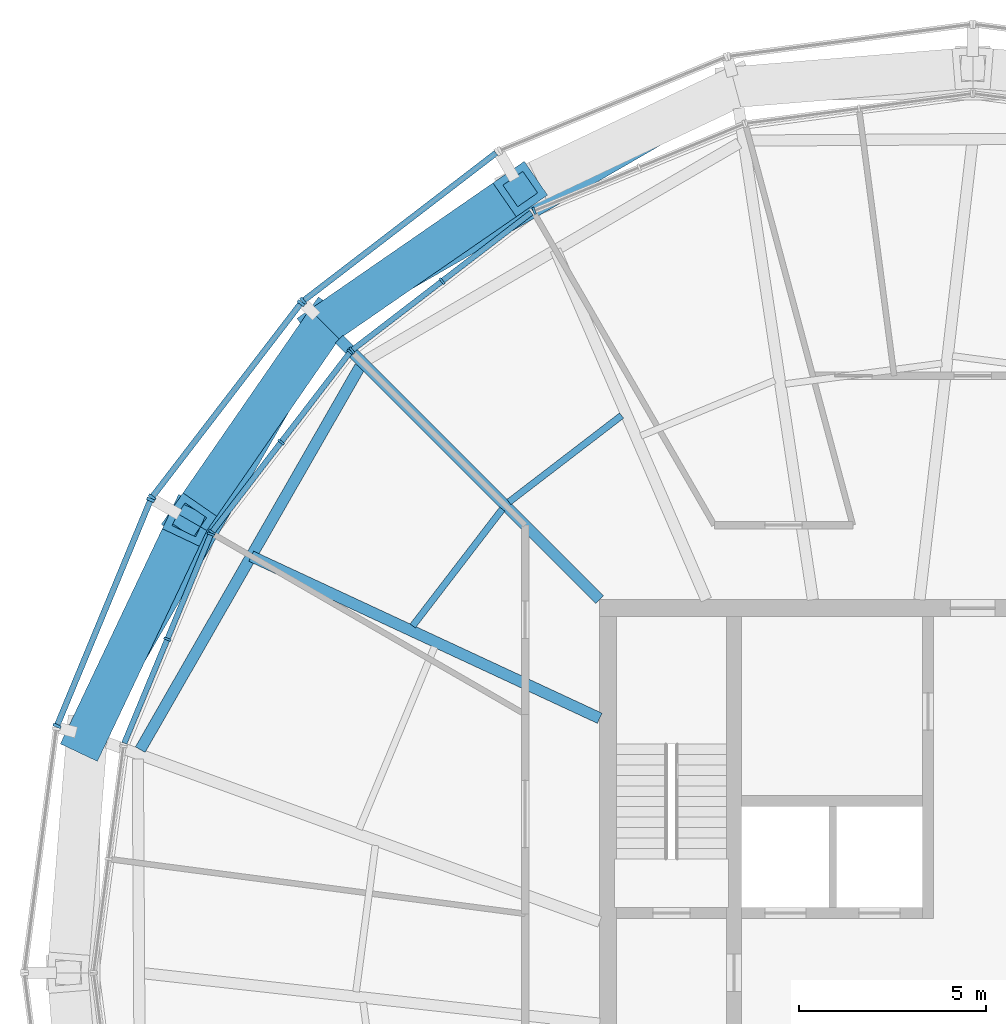
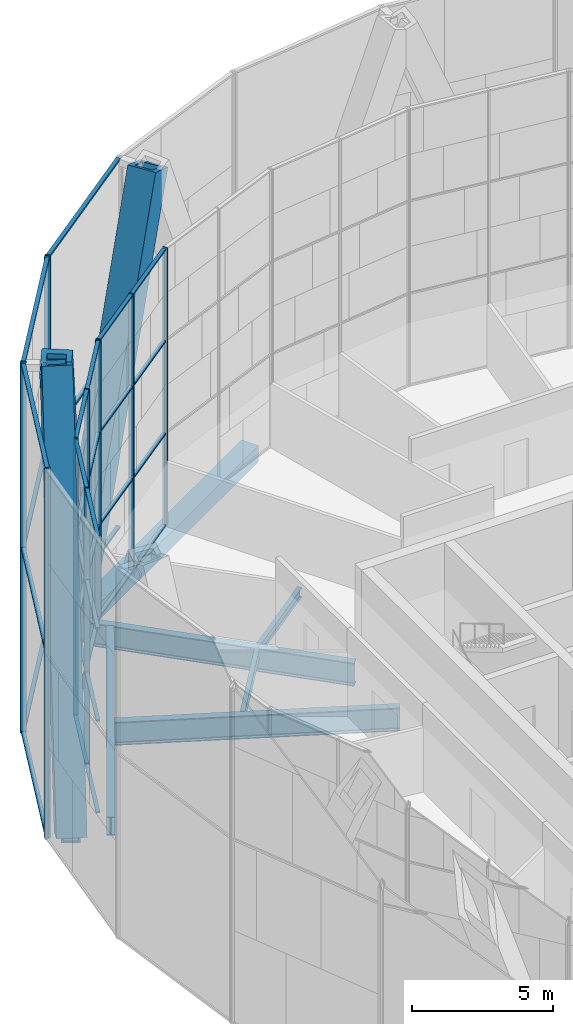
# One storey, part 7 of 26: 49 members, 7 beams, 7 elements without a shape of their own.
"""IFC4 building model written with IfcOpenShell, lengths in metres."""

from ifc_helpers import new_model, si_unit, direction, frame, origin, origin_2d, place, context, subcontext, project, spatial, rectangle, hollow_rectangle, i_section, extrude, material, material_profile, profile_set, type_object, element, aggregate, save


model = new_model("IFC4")

# Units and contexts
model_context = context("Model", 3, precision=1e-05, world=origin(), true_north=direction((0.0, 1.0)))
body_context = subcontext(model_context, "Body", "Model", "MODEL_VIEW")
ifc_project = project(units=[si_unit("LENGTHUNIT", "METRE"), si_unit("AREAUNIT", "SQUARE_METRE"), si_unit("VOLUMEUNIT", "CUBIC_METRE"), si_unit("PLANEANGLEUNIT", "RADIAN"), si_unit("MASSUNIT", "GRAM", prefix="KILO")], contexts=[model_context])

# Site, building, storey
site_placement = place(None, origin())
site = spatial("IfcSite", under=ifc_project, at=site_placement, CompositionType="ELEMENT")
building_placement = place(site_placement, origin())
building = spatial("IfcBuilding", under=site, at=building_placement, Name="Golbaran Civic Tower", CompositionType="ELEMENT")
storey_placement = place(building_placement, frame((0.0, 0.0, 199.0)))
storey = spatial("IfcBuildingStorey", under=building, at=storey_placement, Name="L48", CompositionType="ELEMENT", Elevation=199.0)

# Members
ifc_material_1 = material(Name="Steel S355", Category="steel")
ifc_material_profile_1 = material_profile(ifc_material_1, hollow_rectangle(XDim=1.10009765625, YDim=1.10009765625, WallThickness=0.199951171875, at=origin_2d()), Name="BOX 1100x1100x200")
ifc_profile_set_1 = profile_set([ifc_material_profile_1], Name="Steel S355")
member_type_1 = type_object("IfcMemberType", Name="DIAGRID DIAGONAL BOX 1100x1100x200", PredefinedType="BRACE", material=ifc_profile_set_1)
for number, where, z_axis, x_axis, name in (
    (1, (-17.379150390625, 17.379150390625, -0.7099609375), (-0.210566399983, -0.30484436274, 0.928833518831), (0.822797663531, -0.568334412901, 0.0), "Diagonal D11-04R L48-L52"),
    (2, (-17.379150390625, 17.379150390625, -0.7099609375), (0.30484436274, 0.210566399983, 0.928833518831), (-0.568334412901, 0.822797663531, 0.0), "Diagonal D11-04L L48-L52"),
    (3, (-23.740478515625, 6.361328125, -0.7099609375), (0.158722749986, 0.334764832099, 0.92883776615), (-0.903581210236, 0.428416849002, 0.0), "Diagonal D11-05L L48-L52"),
):
    element("IfcMember", number, at=place(storey_placement, frame(where, z_axis=z_axis, x_axis=x_axis)), inside=storey, type_object=member_type_1, Name=name, PredefinedType="BRACE", context=body_context, shape_type="SweptSolid", body=[
        extrude(hollow_rectangle(XDim=1.10009765625, YDim=1.10009765625, WallThickness=0.199951171875, at=origin_2d()), origin(), (0.0, 0.0, 1.0), 17.225830078125),
    ])

# Beams
ifc_material_profile_2 = material_profile(ifc_material_1, hollow_rectangle(XDim=0.699951171875, YDim=0.699951171875, WallThickness=0.080078125, at=origin_2d()), Name="BOX 700x700x80")
ifc_profile_set_2 = profile_set([ifc_material_profile_2], Name="Steel S355")
beam_type_1 = type_object("IfcBeamType", Name="DIAGRID RING TIE BOX 700x700x80", PredefinedType="BEAM", material=ifc_profile_set_2)
for number, where, z_axis, x_axis, name in (
    (4, (-6.361328125, 23.740478515625, -0.7099609375), (-0.86601909101, -0.500010933886, 0.0), (0.500010933886, -0.86601909101, 0.0), "Ring tie 105.00 L48"),
    (5, (-17.379150390625, 17.379150390625, -0.7099609375), (-0.500010933886, -0.86601909101, 0.0), (0.86601909101, -0.500010933886, 0.0), "Ring tie 135.00 L48"),
):
    element("IfcBeam", number, at=place(storey_placement, frame(where, z_axis=z_axis, x_axis=x_axis)), inside=storey, type_object=beam_type_1, Name=name, PredefinedType="BEAM", context=body_context, shape_type="SweptSolid", body=[
        extrude(hollow_rectangle(XDim=0.699951171875, YDim=0.699951171875, WallThickness=0.080078125, at=origin_2d()), origin(), (0.0, 0.0, 1.0), 12.722412109375),
    ])
ifc_material_profile_3 = material_profile(ifc_material_1, i_section(OverallWidth=0.300048828125, OverallDepth=0.800048828125, WebThickness=0.017578125, FlangeThickness=0.032958984375, FilletRadius=0.030029296875, at=origin_2d()), Name="HEB 800")
ifc_profile_set_3 = profile_set([ifc_material_profile_3], Name="Steel S355")
beam_type_2 = type_object("IfcBeamType", Name="EDGE BEAM HEB 800", PredefinedType="BEAM", material=ifc_profile_set_3)
beam_1_placement = place(storey_placement, frame((-16.42626953125, 16.242431640625, -0.60009765625), z_axis=(-0.497642733506, -0.867382101377, 0.0), x_axis=(0.867382101377, -0.497642733506, 0.0)))
element("IfcBeam", 6, at=beam_1_placement, inside=storey, type_object=beam_type_2, Name="Edge beam 135.00 L48", PredefinedType="BEAM", context=body_context, shape_type="SweptSolid", body=[
    extrude(i_section(OverallWidth=0.300048828125, OverallDepth=0.800048828125, WebThickness=0.017578125, FlangeThickness=0.032958984375, FilletRadius=0.030029296875, at=origin_2d()), origin(), (0.0, 0.0, 1.0), 11.83056640625),
])
ifc_material_profile_4 = material_profile(ifc_material_1, i_section(OverallWidth=0.179931640625, OverallDepth=0.39990234375, WebThickness=0.008544921875, FlangeThickness=0.013427734375, FilletRadius=0.02099609375, at=origin_2d()), Name="IPE 400")
ifc_profile_set_4 = profile_set([ifc_material_profile_4], Name="Steel S355")
beam_type_3 = type_object("IfcBeamType", Name="FLOOR INFILL BEAM IPE 400", PredefinedType="BEAM", material=ifc_profile_set_4)
beam_2_placement = place(storey_placement, frame((-9.412109375, 14.93408203125, -0.39990234375), z_axis=(-0.793364783567, -0.608746515551, 0.0), x_axis=(0.608746515551, -0.793364783567, 0.0)))
element("IfcBeam", 7, at=beam_2_placement, inside=storey, type_object=beam_type_3, Name="Infill beam 127.50 L48", PredefinedType="BEAM", context=body_context, shape_type="SweptSolid", body=[
    extrude(i_section(OverallWidth=0.179931640625, OverallDepth=0.39990234375, WebThickness=0.008544921875, FlangeThickness=0.013427734375, FilletRadius=0.02099609375, at=origin_2d()), origin(), (0.0, 0.0, 1.0), 3.80712890625),
])
beam_3_placement = place(storey_placement, frame((-12.609619140625, 12.42578125, -0.39990234375), z_axis=(-0.608726401363, -0.79338021672, 0.0), x_axis=(0.79338021672, -0.608726401363, 0.0)))
element("IfcBeam", 8, at=beam_3_placement, inside=storey, type_object=beam_type_3, Name="Infill beam 142.50 L48", PredefinedType="BEAM", context=body_context, shape_type="SweptSolid", body=[
    extrude(i_section(OverallWidth=0.179931640625, OverallDepth=0.39990234375, WebThickness=0.008544921875, FlangeThickness=0.013427734375, FilletRadius=0.02099609375, at=origin_2d()), origin(), (0.0, 0.0, 1.0), 3.9453125),
])

# Curtain wall, member
ifc_material_2 = material(Name="Aluminium and glass", Category="aluminium")
curtain_wall_type_1 = type_object("IfcCurtainWallType", Name="INNER SKIN CURTAIN WALL EXECUTIVE", PredefinedType="NOTDEFINED", material=ifc_material_2)
curtain_wall_1_placement = place(storey_placement, origin())
curtain_wall_1 = element("IfcCurtainWall", 9, at=curtain_wall_1_placement, inside=storey, type_object=curtain_wall_type_1, Name="Inner skin L48 facet 8 CW2", ObjectType="INNER SKIN", PredefinedType="USERDEFINED")
ifc_material_3 = material(Name="Aluminium", Category="aluminium")
ifc_material_profile_5 = material_profile(ifc_material_3, rectangle(XDim=0.199951171875, YDim=0.06005859375, at=origin_2d()), Name="INNER SKIN CURTAIN WALL EXECUTIVE MULLION")
ifc_profile_set_5 = profile_set([ifc_material_profile_5], Name="Aluminium")
member_type_2 = type_object("IfcMemberType", Name="INNER SKIN CURTAIN WALL EXECUTIVE MULLION", PredefinedType="MULLION", material=ifc_profile_set_5)
member_1_placement = place(storey_placement, frame((-11.755859375, 20.421142578125, 0.0), z_axis=(0.0, 0.0, 1.0), x_axis=(0.382683432349, -0.923879532518, 0.0)))
member_1 = element("IfcMember", 10, at=member_1_placement, type_object=member_type_2, Name="CW2 mullion 3", PredefinedType="MULLION", context=body_context, shape_type="SweptSolid", body=[
    extrude(rectangle(XDim=0.199951171875, YDim=0.06005859375, at=origin_2d()), origin(), (0.0, 0.0, 1.0), 12.0),
])
aggregate(curtain_wall_1, [member_1])

# Curtain wall, members
curtain_wall_2_placement = place(storey_placement, origin())
curtain_wall_2 = element("IfcCurtainWall", 11, at=curtain_wall_2_placement, inside=storey, type_object=curtain_wall_type_1, Name="Inner skin L48 facet 9 CW2", ObjectType="INNER SKIN", PredefinedType="USERDEFINED")
member_2_placement = place(storey_placement, frame((-14.223876953125, 18.537109375, 0.0), z_axis=(0.0, 0.0, 1.0), x_axis=(0.60876142905, -0.793353340259, 0.0)))
member_2 = element("IfcMember", 12, at=member_2_placement, type_object=member_type_2, Name="CW2 mullion 2", PredefinedType="MULLION", context=body_context, shape_type="SweptSolid", body=[
    extrude(rectangle(XDim=0.199951171875, YDim=0.06005859375, at=origin_2d()), origin(), (0.0, 0.0, 1.0), 12.0),
])
member_3_placement = place(storey_placement, frame((-16.640625, 16.6826171875, 0.0), z_axis=(0.0, 0.0, 1.0), x_axis=(0.60876142905, -0.793353340259, 0.0)))
member_3 = element("IfcMember", 13, at=member_3_placement, type_object=member_type_2, Name="CW2 mullion 3", PredefinedType="MULLION", context=body_context, shape_type="SweptSolid", body=[
    extrude(rectangle(XDim=0.199951171875, YDim=0.06005859375, at=origin_2d()), origin(), (0.0, 0.0, 1.0), 12.0),
])

curtain_wall_3_placement = place(storey_placement, origin())
curtain_wall_3 = element("IfcCurtainWall", 14, at=curtain_wall_3_placement, inside=storey, type_object=curtain_wall_type_1, Name="Inner skin L48 facet 10 CW2", ObjectType="INNER SKIN", PredefinedType="USERDEFINED")
member_4_placement = place(storey_placement, frame((-16.6826171875, 16.640625, 0.0), z_axis=(0.0, 0.0, 1.0), x_axis=(0.793353340259, -0.60876142905, 0.0)))
member_4 = element("IfcMember", 15, at=member_4_placement, type_object=member_type_2, Name="CW2 mullion 1", PredefinedType="MULLION", context=body_context, shape_type="SweptSolid", body=[
    extrude(rectangle(XDim=0.199951171875, YDim=0.06005859375, at=origin_2d()), origin(), (0.0, 0.0, 1.0), 12.0),
])
member_5_placement = place(storey_placement, frame((-18.537109375, 14.223876953125, 0.0), z_axis=(0.0, 0.0, 1.0), x_axis=(0.793353340259, -0.60876142905, 0.0)))
member_5 = element("IfcMember", 16, at=member_5_placement, type_object=member_type_2, Name="CW2 mullion 2", PredefinedType="MULLION", context=body_context, shape_type="SweptSolid", body=[
    extrude(rectangle(XDim=0.199951171875, YDim=0.06005859375, at=origin_2d()), origin(), (0.0, 0.0, 1.0), 12.0),
])
member_6_placement = place(storey_placement, frame((-20.391357421875, 11.807373046875, 0.0), z_axis=(0.0, 0.0, 1.0), x_axis=(0.793353340259, -0.60876142905, 0.0)))
member_6 = element("IfcMember", 17, at=member_6_placement, type_object=member_type_2, Name="CW2 mullion 3", PredefinedType="MULLION", context=body_context, shape_type="SweptSolid", body=[
    extrude(rectangle(XDim=0.199951171875, YDim=0.06005859375, at=origin_2d()), origin(), (0.0, 0.0, 1.0), 12.0),
])

curtain_wall_4_placement = place(storey_placement, origin())
curtain_wall_4 = element("IfcCurtainWall", 18, at=curtain_wall_4_placement, inside=storey, type_object=curtain_wall_type_1, Name="Inner skin L48 facet 11 CW2", ObjectType="INNER SKIN", PredefinedType="USERDEFINED")
member_7_placement = place(storey_placement, frame((-20.421142578125, 11.755859375, 0.0), z_axis=(0.0, 0.0, 1.0), x_axis=(0.923879532518, -0.382683432349, 0.0)))
member_7 = element("IfcMember", 19, at=member_7_placement, type_object=member_type_2, Name="CW2 mullion 1", PredefinedType="MULLION", context=body_context, shape_type="SweptSolid", body=[
    extrude(rectangle(XDim=0.199951171875, YDim=0.06005859375, at=origin_2d()), origin(), (0.0, 0.0, 1.0), 12.0),
])
member_8_placement = place(storey_placement, frame((-21.5869140625, 8.941650390625, 0.0), z_axis=(0.0, 0.0, 1.0), x_axis=(0.923879532518, -0.382683432349, 0.0)))
member_8 = element("IfcMember", 20, at=member_8_placement, type_object=member_type_2, Name="CW2 mullion 2", PredefinedType="MULLION", context=body_context, shape_type="SweptSolid", body=[
    extrude(rectangle(XDim=0.199951171875, YDim=0.06005859375, at=origin_2d()), origin(), (0.0, 0.0, 1.0), 12.0),
])

# Member
ifc_material_profile_6 = material_profile(ifc_material_3, rectangle(XDim=0.14990234375, YDim=0.06005859375, at=origin_2d()), Name="INNER SKIN CURTAIN WALL EXECUTIVE TRANSOM")
ifc_profile_set_6 = profile_set([ifc_material_profile_6], Name="Aluminium")
member_type_3 = type_object("IfcMemberType", Name="INNER SKIN CURTAIN WALL EXECUTIVE TRANSOM", PredefinedType="USERDEFINED", material=ifc_profile_set_6)
member_9_placement = place(storey_placement, frame((-11.8310546875, 20.373046875, 0.030029296875), z_axis=(-0.793358911257, -0.608754168716, 0.0), x_axis=(0.608754168716, -0.793358911257, 0.0)))
member_9 = element("IfcMember", 21, at=member_9_placement, type_object=member_type_3, Name="CW2 transom 1.1", ObjectType="TRANSOM", PredefinedType="USERDEFINED", context=body_context, shape_type="SweptSolid", body=[
    extrude(rectangle(XDim=0.14990234375, YDim=0.06005859375, at=origin_2d()), origin(), (0.0, 0.0, 1.0), 2.986328125),
])

member_10_placement = place(storey_placement, frame((-11.8310546875, 20.373046875, 4.0), z_axis=(-0.793358911257, -0.608754168716, 0.0), x_axis=(0.608754168716, -0.793358911257, 0.0)))
member_10 = element("IfcMember", 22, at=member_10_placement, type_object=member_type_3, Name="CW2 transom 1.2", ObjectType="TRANSOM", PredefinedType="USERDEFINED", context=body_context, shape_type="SweptSolid", body=[
    extrude(rectangle(XDim=0.14990234375, YDim=0.06005859375, at=origin_2d()), origin(), (0.0, 0.0, 1.0), 2.986328125),
])

member_11_placement = place(storey_placement, frame((-11.8310546875, 20.373046875, 8.0), z_axis=(-0.793358911257, -0.608754168716, 0.0), x_axis=(0.608754168716, -0.793358911257, 0.0)))
member_11 = element("IfcMember", 23, at=member_11_placement, type_object=member_type_3, Name="CW2 transom 1.3", ObjectType="TRANSOM", PredefinedType="USERDEFINED", context=body_context, shape_type="SweptSolid", body=[
    extrude(rectangle(XDim=0.14990234375, YDim=0.06005859375, at=origin_2d()), origin(), (0.0, 0.0, 1.0), 2.986328125),
])

member_12_placement = place(storey_placement, frame((-11.8310546875, 20.373046875, 11.969970703125), z_axis=(-0.793358911257, -0.608754168716, 0.0), x_axis=(0.608754168716, -0.793358911257, 0.0)))
member_12 = element("IfcMember", 24, at=member_12_placement, type_object=member_type_3, Name="CW2 transom 1.4", ObjectType="TRANSOM", PredefinedType="USERDEFINED", context=body_context, shape_type="SweptSolid", body=[
    extrude(rectangle(XDim=0.14990234375, YDim=0.06005859375, at=origin_2d()), origin(), (0.0, 0.0, 1.0), 2.986328125),
])

member_13_placement = place(storey_placement, frame((-14.247802734375, 18.518798828125, 0.030029296875), z_axis=(-0.793328611087, -0.60879365538, 0.0), x_axis=(0.60879365538, -0.793328611087, 0.0)))
member_13 = element("IfcMember", 25, at=member_13_placement, type_object=member_type_3, Name="CW2 transom 2.1", ObjectType="TRANSOM", PredefinedType="USERDEFINED", context=body_context, shape_type="SweptSolid", body=[
    extrude(rectangle(XDim=0.14990234375, YDim=0.06005859375, at=origin_2d()), origin(), (0.0, 0.0, 1.0), 2.986083984375),
])

member_14_placement = place(storey_placement, frame((-14.247802734375, 18.518798828125, 4.0), z_axis=(-0.793328611087, -0.60879365538, 0.0), x_axis=(0.60879365538, -0.793328611087, 0.0)))
member_14 = element("IfcMember", 26, at=member_14_placement, type_object=member_type_3, Name="CW2 transom 2.2", ObjectType="TRANSOM", PredefinedType="USERDEFINED", context=body_context, shape_type="SweptSolid", body=[
    extrude(rectangle(XDim=0.14990234375, YDim=0.06005859375, at=origin_2d()), origin(), (0.0, 0.0, 1.0), 2.986083984375),
])

member_15_placement = place(storey_placement, frame((-14.247802734375, 18.518798828125, 8.0), z_axis=(-0.793328611087, -0.60879365538, 0.0), x_axis=(0.60879365538, -0.793328611087, 0.0)))
member_15 = element("IfcMember", 27, at=member_15_placement, type_object=member_type_3, Name="CW2 transom 2.3", ObjectType="TRANSOM", PredefinedType="USERDEFINED", context=body_context, shape_type="SweptSolid", body=[
    extrude(rectangle(XDim=0.14990234375, YDim=0.06005859375, at=origin_2d()), origin(), (0.0, 0.0, 1.0), 2.986083984375),
])

member_16_placement = place(storey_placement, frame((-14.247802734375, 18.518798828125, 11.969970703125), z_axis=(-0.793328611087, -0.60879365538, 0.0), x_axis=(0.60879365538, -0.793328611087, 0.0)))
member_16 = element("IfcMember", 28, at=member_16_placement, type_object=member_type_3, Name="CW2 transom 2.4", ObjectType="TRANSOM", PredefinedType="USERDEFINED", context=body_context, shape_type="SweptSolid", body=[
    extrude(rectangle(XDim=0.14990234375, YDim=0.06005859375, at=origin_2d()), origin(), (0.0, 0.0, 1.0), 2.986083984375),
])

aggregate(curtain_wall_2, [member_2, member_3, member_9, member_10, member_11, member_12, member_13, member_14, member_15, member_16])

member_17_placement = place(storey_placement, frame((-16.700927734375, 16.61669921875, 0.030029296875), z_axis=(-0.60879365538, -0.793328611087, 0.0), x_axis=(0.793328611087, -0.60879365538, 0.0)))
member_17 = element("IfcMember", 29, at=member_17_placement, type_object=member_type_3, Name="CW2 transom 1.1", ObjectType="TRANSOM", PredefinedType="USERDEFINED", context=body_context, shape_type="SweptSolid", body=[
    extrude(rectangle(XDim=0.14990234375, YDim=0.06005859375, at=origin_2d()), origin(), (0.0, 0.0, 1.0), 2.986083984375),
])

member_18_placement = place(storey_placement, frame((-16.700927734375, 16.61669921875, 4.0), z_axis=(-0.60879365538, -0.793328611087, 0.0), x_axis=(0.793328611087, -0.60879365538, 0.0)))
member_18 = element("IfcMember", 30, at=member_18_placement, type_object=member_type_3, Name="CW2 transom 1.2", ObjectType="TRANSOM", PredefinedType="USERDEFINED", context=body_context, shape_type="SweptSolid", body=[
    extrude(rectangle(XDim=0.14990234375, YDim=0.06005859375, at=origin_2d()), origin(), (0.0, 0.0, 1.0), 2.986083984375),
])

member_19_placement = place(storey_placement, frame((-16.700927734375, 16.61669921875, 8.0), z_axis=(-0.60879365538, -0.793328611087, 0.0), x_axis=(0.793328611087, -0.60879365538, 0.0)))
member_19 = element("IfcMember", 31, at=member_19_placement, type_object=member_type_3, Name="CW2 transom 1.3", ObjectType="TRANSOM", PredefinedType="USERDEFINED", context=body_context, shape_type="SweptSolid", body=[
    extrude(rectangle(XDim=0.14990234375, YDim=0.06005859375, at=origin_2d()), origin(), (0.0, 0.0, 1.0), 2.986083984375),
])

member_20_placement = place(storey_placement, frame((-16.700927734375, 16.61669921875, 11.969970703125), z_axis=(-0.60879365538, -0.793328611087, 0.0), x_axis=(0.793328611087, -0.60879365538, 0.0)))
member_20 = element("IfcMember", 32, at=member_20_placement, type_object=member_type_3, Name="CW2 transom 1.4", ObjectType="TRANSOM", PredefinedType="USERDEFINED", context=body_context, shape_type="SweptSolid", body=[
    extrude(rectangle(XDim=0.14990234375, YDim=0.06005859375, at=origin_2d()), origin(), (0.0, 0.0, 1.0), 2.986083984375),
])

member_21_placement = place(storey_placement, frame((-18.55517578125, 14.2001953125, 0.030029296875), z_axis=(-0.608754168716, -0.793358911257, 0.0), x_axis=(0.793358911257, -0.608754168716, 0.0)))
member_21 = element("IfcMember", 33, at=member_21_placement, type_object=member_type_3, Name="CW2 transom 2.1", ObjectType="TRANSOM", PredefinedType="USERDEFINED", context=body_context, shape_type="SweptSolid", body=[
    extrude(rectangle(XDim=0.14990234375, YDim=0.06005859375, at=origin_2d()), origin(), (0.0, 0.0, 1.0), 2.986328125),
])

member_22_placement = place(storey_placement, frame((-18.55517578125, 14.2001953125, 4.0), z_axis=(-0.608754168716, -0.793358911257, 0.0), x_axis=(0.793358911257, -0.608754168716, 0.0)))
member_22 = element("IfcMember", 34, at=member_22_placement, type_object=member_type_3, Name="CW2 transom 2.2", ObjectType="TRANSOM", PredefinedType="USERDEFINED", context=body_context, shape_type="SweptSolid", body=[
    extrude(rectangle(XDim=0.14990234375, YDim=0.06005859375, at=origin_2d()), origin(), (0.0, 0.0, 1.0), 2.986328125),
])

member_23_placement = place(storey_placement, frame((-18.55517578125, 14.2001953125, 8.0), z_axis=(-0.608754168716, -0.793358911257, 0.0), x_axis=(0.793358911257, -0.608754168716, 0.0)))
member_23 = element("IfcMember", 35, at=member_23_placement, type_object=member_type_3, Name="CW2 transom 2.3", ObjectType="TRANSOM", PredefinedType="USERDEFINED", context=body_context, shape_type="SweptSolid", body=[
    extrude(rectangle(XDim=0.14990234375, YDim=0.06005859375, at=origin_2d()), origin(), (0.0, 0.0, 1.0), 2.986328125),
])

member_24_placement = place(storey_placement, frame((-18.55517578125, 14.2001953125, 11.969970703125), z_axis=(-0.608754168716, -0.793358911257, 0.0), x_axis=(0.793358911257, -0.608754168716, 0.0)))
member_24 = element("IfcMember", 36, at=member_24_placement, type_object=member_type_3, Name="CW2 transom 2.4", ObjectType="TRANSOM", PredefinedType="USERDEFINED", context=body_context, shape_type="SweptSolid", body=[
    extrude(rectangle(XDim=0.14990234375, YDim=0.06005859375, at=origin_2d()), origin(), (0.0, 0.0, 1.0), 2.986328125),
])

aggregate(curtain_wall_3, [member_4, member_5, member_6, member_17, member_18, member_19, member_20, member_21, member_22, member_23, member_24])

member_25_placement = place(storey_placement, frame((-20.4326171875, 11.72802734375, 0.030029296875), z_axis=(-0.382640634603, -0.923897258763, 0.0), x_axis=(0.923897258763, -0.382640634603, 0.0)))
member_25 = element("IfcMember", 37, at=member_25_placement, type_object=member_type_3, Name="CW2 transom 1.1", ObjectType="TRANSOM", PredefinedType="USERDEFINED", context=body_context, shape_type="SweptSolid", body=[
    extrude(rectangle(XDim=0.14990234375, YDim=0.06005859375, at=origin_2d()), origin(), (0.0, 0.0, 1.0), 2.986083984375),
])

member_26_placement = place(storey_placement, frame((-20.4326171875, 11.72802734375, 4.0), z_axis=(-0.382640634603, -0.923897258763, 0.0), x_axis=(0.923897258763, -0.382640634603, 0.0)))
member_26 = element("IfcMember", 38, at=member_26_placement, type_object=member_type_3, Name="CW2 transom 1.2", ObjectType="TRANSOM", PredefinedType="USERDEFINED", context=body_context, shape_type="SweptSolid", body=[
    extrude(rectangle(XDim=0.14990234375, YDim=0.06005859375, at=origin_2d()), origin(), (0.0, 0.0, 1.0), 2.986083984375),
])

member_27_placement = place(storey_placement, frame((-20.4326171875, 11.72802734375, 8.0), z_axis=(-0.382640634603, -0.923897258763, 0.0), x_axis=(0.923897258763, -0.382640634603, 0.0)))
member_27 = element("IfcMember", 39, at=member_27_placement, type_object=member_type_3, Name="CW2 transom 1.3", ObjectType="TRANSOM", PredefinedType="USERDEFINED", context=body_context, shape_type="SweptSolid", body=[
    extrude(rectangle(XDim=0.14990234375, YDim=0.06005859375, at=origin_2d()), origin(), (0.0, 0.0, 1.0), 2.986083984375),
])

member_28_placement = place(storey_placement, frame((-20.4326171875, 11.72802734375, 11.969970703125), z_axis=(-0.382640634603, -0.923897258763, 0.0), x_axis=(0.923897258763, -0.382640634603, 0.0)))
member_28 = element("IfcMember", 40, at=member_28_placement, type_object=member_type_3, Name="CW2 transom 1.4", ObjectType="TRANSOM", PredefinedType="USERDEFINED", context=body_context, shape_type="SweptSolid", body=[
    extrude(rectangle(XDim=0.14990234375, YDim=0.06005859375, at=origin_2d()), origin(), (0.0, 0.0, 1.0), 2.986083984375),
])

member_29_placement = place(storey_placement, frame((-21.598388671875, 8.913818359375, 0.030029296875), z_axis=(-0.382640634603, -0.923897258763, 0.0), x_axis=(0.923897258763, -0.382640634603, 0.0)))
member_29 = element("IfcMember", 41, at=member_29_placement, type_object=member_type_3, Name="CW2 transom 2.1", ObjectType="TRANSOM", PredefinedType="USERDEFINED", context=body_context, shape_type="SweptSolid", body=[
    extrude(rectangle(XDim=0.14990234375, YDim=0.06005859375, at=origin_2d()), origin(), (0.0, 0.0, 1.0), 2.986083984375),
])

member_30_placement = place(storey_placement, frame((-21.598388671875, 8.913818359375, 4.0), z_axis=(-0.382640634603, -0.923897258763, 0.0), x_axis=(0.923897258763, -0.382640634603, 0.0)))
member_30 = element("IfcMember", 42, at=member_30_placement, type_object=member_type_3, Name="CW2 transom 2.2", ObjectType="TRANSOM", PredefinedType="USERDEFINED", context=body_context, shape_type="SweptSolid", body=[
    extrude(rectangle(XDim=0.14990234375, YDim=0.06005859375, at=origin_2d()), origin(), (0.0, 0.0, 1.0), 2.986083984375),
])

member_31_placement = place(storey_placement, frame((-21.598388671875, 8.913818359375, 8.0), z_axis=(-0.382640634603, -0.923897258763, 0.0), x_axis=(0.923897258763, -0.382640634603, 0.0)))
member_31 = element("IfcMember", 43, at=member_31_placement, type_object=member_type_3, Name="CW2 transom 2.3", ObjectType="TRANSOM", PredefinedType="USERDEFINED", context=body_context, shape_type="SweptSolid", body=[
    extrude(rectangle(XDim=0.14990234375, YDim=0.06005859375, at=origin_2d()), origin(), (0.0, 0.0, 1.0), 2.986083984375),
])

member_32_placement = place(storey_placement, frame((-21.598388671875, 8.913818359375, 11.969970703125), z_axis=(-0.382640634603, -0.923897258763, 0.0), x_axis=(0.923897258763, -0.382640634603, 0.0)))
member_32 = element("IfcMember", 44, at=member_32_placement, type_object=member_type_3, Name="CW2 transom 2.4", ObjectType="TRANSOM", PredefinedType="USERDEFINED", context=body_context, shape_type="SweptSolid", body=[
    extrude(rectangle(XDim=0.14990234375, YDim=0.06005859375, at=origin_2d()), origin(), (0.0, 0.0, 1.0), 2.986083984375),
])

aggregate(curtain_wall_4, [member_7, member_8, member_25, member_26, member_27, member_28, member_29, member_30, member_31, member_32])

# Curtain wall, member
curtain_wall_type_2 = type_object("IfcCurtainWallType", Name="OUTER SKIN TERRACOTTA SCREEN", PredefinedType="NOTDEFINED", material=ifc_material_2)
curtain_wall_5_placement = place(storey_placement, origin())
curtain_wall_5 = element("IfcCurtainWall", 45, at=curtain_wall_5_placement, inside=storey, type_object=curtain_wall_type_2, Name="Outer skin L48 facet 9 CW3", ObjectType="OUTER SKIN", PredefinedType="USERDEFINED")
ifc_material_profile_7 = material_profile(ifc_material_3, rectangle(XDim=0.219970703125, YDim=0.080078125, at=origin_2d()), Name="OUTER SKIN TERRACOTTA SCREEN MULLION")
ifc_profile_set_7 = profile_set([ifc_material_profile_7], Name="Aluminium")
member_type_4 = type_object("IfcMemberType", Name="OUTER SKIN TERRACOTTA SCREEN MULLION", PredefinedType="MULLION", material=ifc_profile_set_7)
member_33_placement = place(storey_placement, frame((-17.948486328125, 18.004638671875, -0.7099609375), z_axis=(0.0, 0.0, 1.0), x_axis=(0.608761428967, -0.793353340323, 0.0)))
member_33 = element("IfcMember", 46, at=member_33_placement, type_object=member_type_4, Name="CW3 mullion 2", PredefinedType="MULLION", context=body_context, shape_type="SweptSolid", body=[
    extrude(rectangle(XDim=0.219970703125, YDim=0.080078125, at=origin_2d()), origin(), (0.0, 0.0, 1.0), 16.0),
])

# Curtain wall, members
curtain_wall_6_placement = place(storey_placement, origin())
curtain_wall_6 = element("IfcCurtainWall", 47, at=curtain_wall_6_placement, inside=storey, type_object=curtain_wall_type_2, Name="Outer skin L48 facet 10 CW3", ObjectType="OUTER SKIN", PredefinedType="USERDEFINED")
member_34_placement = place(storey_placement, frame((-18.004638671875, 17.948486328125, -0.7099609375), z_axis=(0.0, 0.0, 1.0), x_axis=(0.793353340323, -0.608761428967, 0.0)))
member_34 = element("IfcMember", 48, at=member_34_placement, type_object=member_type_4, Name="CW3 mullion 1", PredefinedType="MULLION", context=body_context, shape_type="SweptSolid", body=[
    extrude(rectangle(XDim=0.219970703125, YDim=0.080078125, at=origin_2d()), origin(), (0.0, 0.0, 1.0), 16.0),
])
member_35_placement = place(storey_placement, frame((-21.996826171875, 12.745849609375, -0.7099609375), z_axis=(0.0, 0.0, 1.0), x_axis=(0.793353340323, -0.608761428967, 0.0)))
member_35 = element("IfcMember", 49, at=member_35_placement, type_object=member_type_4, Name="CW3 mullion 2", PredefinedType="MULLION", context=body_context, shape_type="SweptSolid", body=[
    extrude(rectangle(XDim=0.219970703125, YDim=0.080078125, at=origin_2d()), origin(), (0.0, 0.0, 1.0), 16.0),
])

curtain_wall_7_placement = place(storey_placement, origin())
curtain_wall_7 = element("IfcCurtainWall", 50, at=curtain_wall_7_placement, inside=storey, type_object=curtain_wall_type_2, Name="Outer skin L48 facet 11 CW3", ObjectType="OUTER SKIN", PredefinedType="USERDEFINED")
member_36_placement = place(storey_placement, frame((-22.03662109375, 12.677001953125, -0.7099609375), z_axis=(0.0, 0.0, 1.0), x_axis=(0.923879532478, -0.382683432446, 0.0)))
member_36 = element("IfcMember", 51, at=member_36_placement, type_object=member_type_4, Name="CW3 mullion 1", PredefinedType="MULLION", context=body_context, shape_type="SweptSolid", body=[
    extrude(rectangle(XDim=0.219970703125, YDim=0.080078125, at=origin_2d()), origin(), (0.0, 0.0, 1.0), 16.0),
])
member_37_placement = place(storey_placement, frame((-24.546142578125, 6.6181640625, -0.7099609375), z_axis=(0.0, 0.0, 1.0), x_axis=(0.923879532478, -0.382683432446, 0.0)))
member_37 = element("IfcMember", 52, at=member_37_placement, type_object=member_type_4, Name="CW3 mullion 2", PredefinedType="MULLION", context=body_context, shape_type="SweptSolid", body=[
    extrude(rectangle(XDim=0.219970703125, YDim=0.080078125, at=origin_2d()), origin(), (0.0, 0.0, 1.0), 16.0),
])

# Member
ifc_material_profile_8 = material_profile(ifc_material_3, rectangle(XDim=0.159912109375, YDim=0.080078125, at=origin_2d()), Name="OUTER SKIN TERRACOTTA SCREEN TRANSOM")
ifc_profile_set_8 = profile_set([ifc_material_profile_8], Name="Aluminium")
member_type_5 = type_object("IfcMemberType", Name="OUTER SKIN TERRACOTTA SCREEN TRANSOM", PredefinedType="USERDEFINED", material=ifc_profile_set_8)
member_38_placement = place(storey_placement, frame((-12.777587890625, 21.97265625, -0.669921875), z_axis=(-0.793339380863, -0.608779620859, 0.0), x_axis=(0.608779620859, -0.793339380863, 0.0)))
member_38 = element("IfcMember", 53, at=member_38_placement, type_object=member_type_5, Name="CW3 transom 1.1", ObjectType="TRANSOM", PredefinedType="USERDEFINED", context=body_context, shape_type="SweptSolid", body=[
    extrude(rectangle(XDim=0.159912109375, YDim=0.080078125, at=origin_2d()), origin(), (0.0, 0.0, 1.0), 6.477783203125),
])

member_39_placement = place(storey_placement, frame((-12.777587890625, 21.97265625, 7.2900390625), z_axis=(-0.793339380863, -0.608779620859, 0.0), x_axis=(0.608779620859, -0.793339380863, 0.0)))
member_39 = element("IfcMember", 54, at=member_39_placement, type_object=member_type_5, Name="CW3 transom 1.2", ObjectType="TRANSOM", PredefinedType="USERDEFINED", context=body_context, shape_type="SweptSolid", body=[
    extrude(rectangle(XDim=0.159912109375, YDim=0.080078125, at=origin_2d()), origin(), (0.0, 0.0, 1.0), 6.477783203125),
])

member_40_placement = place(storey_placement, frame((-12.777587890625, 21.97265625, 15.25), z_axis=(-0.793339380863, -0.608779620859, 0.0), x_axis=(0.608779620859, -0.793339380863, 0.0)))
member_40 = element("IfcMember", 55, at=member_40_placement, type_object=member_type_5, Name="CW3 transom 1.3", ObjectType="TRANSOM", PredefinedType="USERDEFINED", context=body_context, shape_type="SweptSolid", body=[
    extrude(rectangle(XDim=0.159912109375, YDim=0.080078125, at=origin_2d()), origin(), (0.0, 0.0, 1.0), 6.477783203125),
])

aggregate(curtain_wall_5, [member_33, member_38, member_39, member_40])

member_41_placement = place(storey_placement, frame((-18.029052734375, 17.916748046875, -0.669921875), z_axis=(-0.608779620859, -0.793339380863, 0.0), x_axis=(0.793339380863, -0.608779620859, 0.0)))
member_41 = element("IfcMember", 56, at=member_41_placement, type_object=member_type_5, Name="CW3 transom 1.1", ObjectType="TRANSOM", PredefinedType="USERDEFINED", context=body_context, shape_type="SweptSolid", body=[
    extrude(rectangle(XDim=0.159912109375, YDim=0.080078125, at=origin_2d()), origin(), (0.0, 0.0, 1.0), 6.477783203125),
])

member_42_placement = place(storey_placement, frame((-18.029052734375, 17.916748046875, 7.2900390625), z_axis=(-0.608779620859, -0.793339380863, 0.0), x_axis=(0.793339380863, -0.608779620859, 0.0)))
member_42 = element("IfcMember", 57, at=member_42_placement, type_object=member_type_5, Name="CW3 transom 1.2", ObjectType="TRANSOM", PredefinedType="USERDEFINED", context=body_context, shape_type="SweptSolid", body=[
    extrude(rectangle(XDim=0.159912109375, YDim=0.080078125, at=origin_2d()), origin(), (0.0, 0.0, 1.0), 6.477783203125),
])

member_43_placement = place(storey_placement, frame((-18.029052734375, 17.916748046875, 15.25), z_axis=(-0.608779620859, -0.793339380863, 0.0), x_axis=(0.793339380863, -0.608779620859, 0.0)))
member_43 = element("IfcMember", 58, at=member_43_placement, type_object=member_type_5, Name="CW3 transom 1.3", ObjectType="TRANSOM", PredefinedType="USERDEFINED", context=body_context, shape_type="SweptSolid", body=[
    extrude(rectangle(XDim=0.159912109375, YDim=0.080078125, at=origin_2d()), origin(), (0.0, 0.0, 1.0), 6.477783203125),
])

aggregate(curtain_wall_6, [member_34, member_35, member_41, member_42, member_43])

member_44_placement = place(storey_placement, frame((-22.052001953125, 12.64013671875, -0.669921875), z_axis=(-0.382682426517, -0.923879949147, 0.0), x_axis=(0.923879949147, -0.382682426517, 0.0)))
member_44 = element("IfcMember", 59, at=member_44_placement, type_object=member_type_5, Name="CW3 transom 1.1", ObjectType="TRANSOM", PredefinedType="USERDEFINED", context=body_context, shape_type="SweptSolid", body=[
    extrude(rectangle(XDim=0.159912109375, YDim=0.080078125, at=origin_2d()), origin(), (0.0, 0.0, 1.0), 6.47802734375),
])

member_45_placement = place(storey_placement, frame((-22.052001953125, 12.64013671875, 7.2900390625), z_axis=(-0.382682426517, -0.923879949147, 0.0), x_axis=(0.923879949147, -0.382682426517, 0.0)))
member_45 = element("IfcMember", 60, at=member_45_placement, type_object=member_type_5, Name="CW3 transom 1.2", ObjectType="TRANSOM", PredefinedType="USERDEFINED", context=body_context, shape_type="SweptSolid", body=[
    extrude(rectangle(XDim=0.159912109375, YDim=0.080078125, at=origin_2d()), origin(), (0.0, 0.0, 1.0), 6.47802734375),
])

member_46_placement = place(storey_placement, frame((-22.052001953125, 12.64013671875, 15.25), z_axis=(-0.382682426517, -0.923879949147, 0.0), x_axis=(0.923879949147, -0.382682426517, 0.0)))
member_46 = element("IfcMember", 61, at=member_46_placement, type_object=member_type_5, Name="CW3 transom 1.3", ObjectType="TRANSOM", PredefinedType="USERDEFINED", context=body_context, shape_type="SweptSolid", body=[
    extrude(rectangle(XDim=0.159912109375, YDim=0.080078125, at=origin_2d()), origin(), (0.0, 0.0, 1.0), 6.47802734375),
])

aggregate(curtain_wall_7, [member_36, member_37, member_44, member_45, member_46])

# Beams
ifc_material_profile_9 = material_profile(ifc_material_1, i_section(OverallWidth=0.300048828125, OverallDepth=1.0, WebThickness=0.01904296875, FlangeThickness=0.035888671875, FilletRadius=0.030029296875, at=origin_2d()), Name="HEB 1000")
ifc_profile_set_9 = profile_set([ifc_material_profile_9], Name="Steel S355")
beam_type_4 = type_object("IfcBeamType", Name="RADIAL FLOOR BEAM HEB 1000", PredefinedType="BEAM", material=ifc_profile_set_9)
beam_4_placement = place(storey_placement, frame((-10.0, 10.0, -0.7099609375), z_axis=(-0.707106781187, 0.707106781187, 0.0), x_axis=(-0.707106781187, -0.707106781187, 0.0)))
element("IfcBeam", 62, at=beam_4_placement, inside=storey, type_object=beam_type_4, Name="Radial beam 135.00 L48", PredefinedType="BEAM", context=body_context, shape_type="SweptSolid", body=[
    extrude(i_section(OverallWidth=0.300048828125, OverallDepth=1.0, WebThickness=0.01904296875, FlangeThickness=0.035888671875, FilletRadius=0.030029296875, at=origin_2d()), origin(), (0.0, 0.0, 1.0), 9.876708984375),
])
ifc_material_profile_10 = material_profile(ifc_material_1, i_section(OverallWidth=0.300048828125, OverallDepth=1.0, WebThickness=0.01904296875, FlangeThickness=0.035888671875, FilletRadius=0.030029296875, at=origin_2d()), Name="HEB 1000")
ifc_profile_set_10 = profile_set([ifc_material_profile_10], Name="Steel S355")
beam_type_5 = type_object("IfcBeamType", Name="SECONDARY FLOOR BEAM HEB 1000", PredefinedType="BEAM", material=ifc_profile_set_10)
beam_5_placement = place(storey_placement, frame((-10.0, 6.821533203125, -0.7099609375), z_axis=(-0.906721955045, 0.421728936924, 0.0), x_axis=(-0.421728936924, -0.906721955045, 0.0)))
element("IfcBeam", 63, at=beam_5_placement, inside=storey, type_object=beam_type_5, Name="Secondary beam 150.00 L48", PredefinedType="BEAM", context=body_context, shape_type="SweptSolid", body=[
    extrude(i_section(OverallWidth=0.300048828125, OverallDepth=1.0, WebThickness=0.01904296875, FlangeThickness=0.035888671875, FilletRadius=0.030029296875, at=origin_2d()), origin(), (0.0, 0.0, 1.0), 10.2998046875),
])

save(model, "model.ifc")
